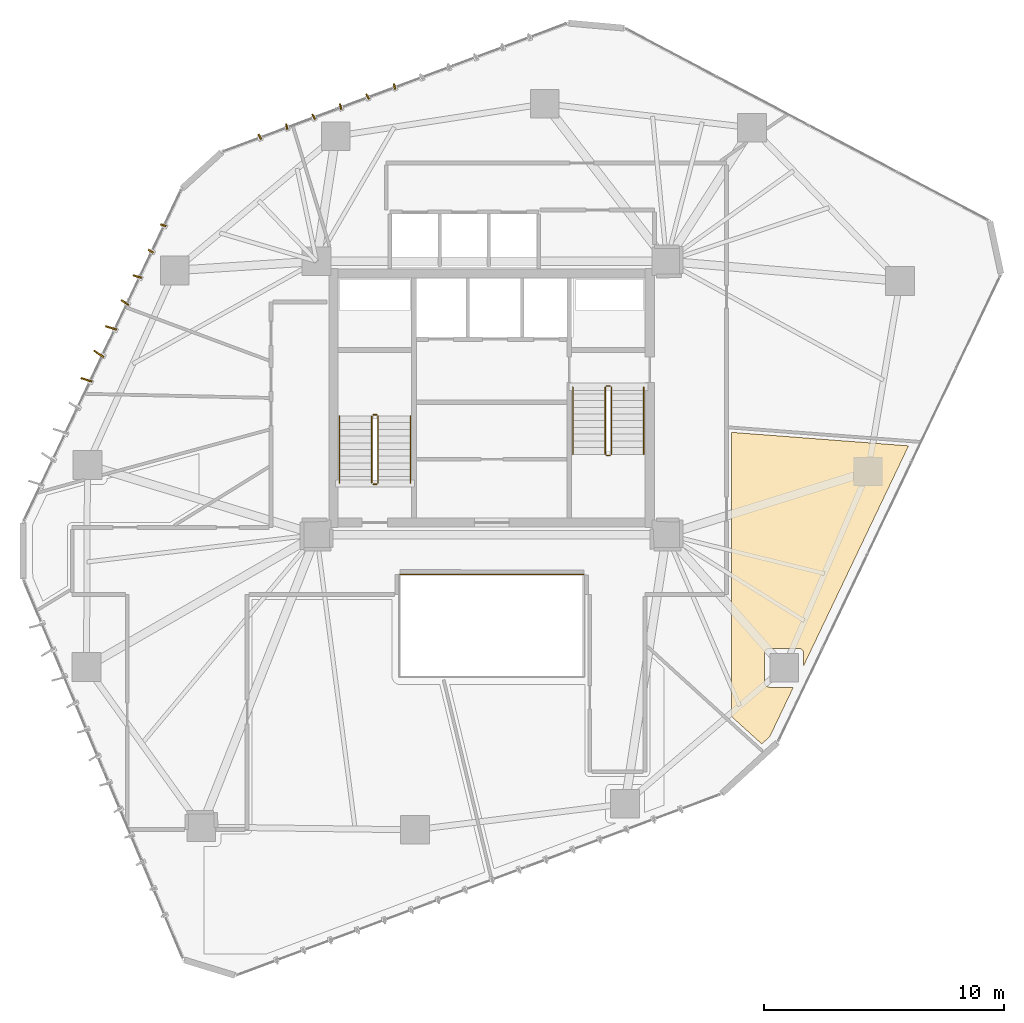
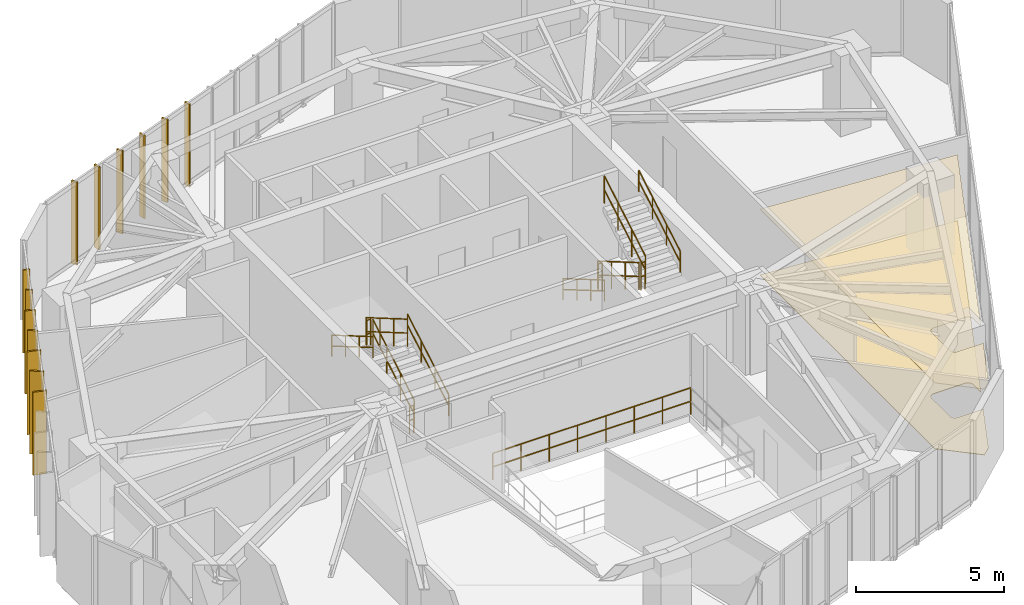
# One storey, part 21 of 22: 13 railings, 13 shading devices, 2 coverings.
"""IFC4 building model written with IfcOpenShell, lengths in metres."""

from ifc_helpers import new_model, si_unit, direction, frame, origin, origin_2d, place, context, subcontext, project, spatial, polyline, rectangle, circle, outline, extrude, source, transform, mapped, material, layer, layer_set, type_object, type_shapes, element, save


model = new_model("IFC4")

# Units and contexts
model_context = context("Model", 3, precision=1e-05, world=origin(), true_north=direction((0.0, 1.0)))
body_context = subcontext(model_context, "Body", "Model", "MODEL_VIEW")
ifc_project = project(units=[si_unit("LENGTHUNIT", "METRE"), si_unit("AREAUNIT", "SQUARE_METRE"), si_unit("VOLUMEUNIT", "CUBIC_METRE"), si_unit("PLANEANGLEUNIT", "RADIAN"), si_unit("MASSUNIT", "GRAM", prefix="KILO")], contexts=[model_context])

# Site, building, storey
site_placement = place(None, origin())
site = spatial("IfcSite", under=ifc_project, at=site_placement, CompositionType="ELEMENT")
building_placement = place(site_placement, origin())
building = spatial("IfcBuilding", under=site, at=building_placement, Name="Talar Marvaseh", CompositionType="ELEMENT")
storey_placement = place(building_placement, frame((0.0, 0.0, 150.60009765625)))
storey = spatial("IfcBuildingStorey", under=building, at=storey_placement, Name="L39", CompositionType="ELEMENT", Elevation=150.60009765625)

# Railings
ifc_material_1 = material(Name="Stainless Steel Grade 316", Category="steel")
railing_type_1 = type_object("IfcRailingType", Name="Brushed Stainless Wall Pitch Handrail 900", PredefinedType="HANDRAIL", material=ifc_material_1)
railing_1_placement = place(storey_placement, frame((22.610107421875, 27.64990234375, 0.16357421875)))
element("IfcRailing", 1, at=railing_1_placement, inside=storey, type_object=railing_type_1, Name="L39 ST-1 stair handrail 1", PredefinedType="HANDRAIL", context=body_context, shape_type="SweptSolid", body=[
    extrude(circle(Radius=0.02392578125, at=origin_2d()), frame((0.0, 0.0, 0.8759765625), z_axis=(0.0, 0.863393664356, 0.504530851732), x_axis=(-1.0, 0.0, 0.0)), (0.0, 0.0, 1.0), 3.2431640625),
    extrude(circle(Radius=0.02392578125, at=origin_2d()), frame((0.0, 0.0, 0.42578125), z_axis=(0.0, 0.863393664356, 0.504530851732), x_axis=(-1.0, 0.0, 0.0)), (0.0, 0.0, 1.0), 3.2431640625),
    extrude(circle(Radius=0.02099609375, at=origin_2d()), origin(), (0.0, 0.0, 1.0), 0.851806640625),
    extrude(circle(Radius=0.02099609375, at=origin_2d()), frame((0.0, 0.933349609375, 0.54541015625)), (0.0, 0.0, 1.0), 0.851806640625),
    extrude(circle(Radius=0.02099609375, at=origin_2d()), frame((0.0, 1.86669921875, 1.0908203125)), (0.0, 0.0, 1.0), 0.851806640625),
    extrude(circle(Radius=0.02099609375, at=origin_2d()), frame((0.0, 2.800048828125, 1.63623046875)), (0.0, 0.0, 1.0), 0.851806640625),
])
railing_2_placement = place(storey_placement, frame((19.64990234375, 30.449951171875, 1.963623046875)))
element("IfcRailing", 2, at=railing_2_placement, inside=storey, type_object=railing_type_1, Name="L39 ST-1 stair handrail 2", PredefinedType="HANDRAIL", context=body_context, shape_type="SweptSolid", body=[
    extrude(circle(Radius=0.02392578125, at=origin_2d()), frame((0.0, 0.0, 0.8759765625), z_axis=(0.0, -0.863393664356, 0.504530851732), x_axis=(1.0, 0.0, 0.0)), (0.0, 0.0, 1.0), 3.2431640625),
    extrude(circle(Radius=0.02392578125, at=origin_2d()), frame((0.0, 0.0, 0.42578125), z_axis=(0.0, -0.863393664356, 0.504530851732), x_axis=(1.0, 0.0, 0.0)), (0.0, 0.0, 1.0), 3.2431640625),
    extrude(circle(Radius=0.02099609375, at=origin_2d()), origin(), (0.0, 0.0, 1.0), 0.851806640625),
    extrude(circle(Radius=0.02099609375, at=origin_2d()), frame((0.0, -0.933349609375, 0.54541015625)), (0.0, 0.0, 1.0), 0.851806640625),
    extrude(circle(Radius=0.02099609375, at=origin_2d()), frame((0.0, -1.86669921875, 1.0908203125)), (0.0, 0.0, 1.0), 0.851806640625),
    extrude(circle(Radius=0.02099609375, at=origin_2d()), frame((0.0, -2.800048828125, 1.63623046875)), (0.0, 0.0, 1.0), 0.851806640625),
])
railing_3_placement = place(storey_placement, frame((29.389892578125, 31.64990234375, 0.16357421875)))
element("IfcRailing", 3, at=railing_3_placement, inside=storey, type_object=railing_type_1, Name="L39 ST-2 stair handrail 1", PredefinedType="HANDRAIL", context=body_context, shape_type="SweptSolid", body=[
    extrude(circle(Radius=0.02392578125, at=origin_2d()), frame((0.0, 0.0, 0.8759765625), z_axis=(0.0, -0.863374499697, 0.504563646405), x_axis=(1.0, 0.0, 0.0)), (0.0, 0.0, 1.0), 3.242919921875),
    extrude(circle(Radius=0.02392578125, at=origin_2d()), frame((0.0, 0.0, 0.42578125), z_axis=(0.0, -0.863374499697, 0.504563646405), x_axis=(1.0, 0.0, 0.0)), (0.0, 0.0, 1.0), 3.242919921875),
    extrude(circle(Radius=0.02099609375, at=origin_2d()), origin(), (0.0, 0.0, 1.0), 0.851806640625),
    extrude(circle(Radius=0.02099609375, at=origin_2d()), frame((0.0, -0.933349609375, 0.54541015625)), (0.0, 0.0, 1.0), 0.851806640625),
    extrude(circle(Radius=0.02099609375, at=origin_2d()), frame((0.0, -1.866455078125, 1.0908203125)), (0.0, 0.0, 1.0), 0.851806640625),
    extrude(circle(Radius=0.02099609375, at=origin_2d()), frame((0.0, -2.7998046875, 1.63623046875)), (0.0, 0.0, 1.0), 0.851806640625),
])
railing_4_placement = place(storey_placement, frame((32.35009765625, 28.85009765625, 1.963623046875)))
element("IfcRailing", 4, at=railing_4_placement, inside=storey, type_object=railing_type_1, Name="L39 ST-2 stair handrail 2", PredefinedType="HANDRAIL", context=body_context, shape_type="SweptSolid", body=[
    extrude(circle(Radius=0.02392578125, at=origin_2d()), frame((0.0, 0.0, 0.8759765625), z_axis=(0.0, 0.863374499697, 0.504563646405), x_axis=(-1.0, 0.0, 0.0)), (0.0, 0.0, 1.0), 3.242919921875),
    extrude(circle(Radius=0.02392578125, at=origin_2d()), frame((0.0, 0.0, 0.42578125), z_axis=(0.0, 0.863374499697, 0.504563646405), x_axis=(-1.0, 0.0, 0.0)), (0.0, 0.0, 1.0), 3.242919921875),
    extrude(circle(Radius=0.02099609375, at=origin_2d()), origin(), (0.0, 0.0, 1.0), 0.851806640625),
    extrude(circle(Radius=0.02099609375, at=origin_2d()), frame((0.0, 0.933349609375, 0.54541015625)), (0.0, 0.0, 1.0), 0.851806640625),
    extrude(circle(Radius=0.02099609375, at=origin_2d()), frame((0.0, 1.866455078125, 1.0908203125)), (0.0, 0.0, 1.0), 0.851806640625),
    extrude(circle(Radius=0.02099609375, at=origin_2d()), frame((0.0, 2.7998046875, 1.63623046875)), (0.0, 0.0, 1.0), 0.851806640625),
])
ifc_material_2 = material(Name="Tempered Clear Glass", Category="glass")
railing_type_2 = type_object("IfcRailingType", Name="Interior Atrium Edge Balustrade 1120", PredefinedType="BALUSTRADE", material=ifc_material_2)
railing_5_placement = place(storey_placement, frame((29.8701171875, 23.838623046875, 0.0)))
element("IfcRailing", 5, at=railing_5_placement, inside=storey, type_object=railing_type_2, Name="L39 Internal Daylight Atrium Balustrade 3", PredefinedType="BALUSTRADE", context=body_context, shape_type="SweptSolid", body=[
    extrude(circle(Radius=0.02392578125, at=origin_2d()), frame((0.0, 0.0, 1.09619140625), z_axis=(-1.0, 0.0, 0.0), x_axis=(0.0, -1.0, 0.0)), (0.0, 0.0, 1.0), 7.740234375),
    extrude(circle(Radius=0.02392578125, at=origin_2d()), frame((0.0, 0.0, 0.5361328125), z_axis=(-1.0, 0.0, 0.0), x_axis=(0.0, -1.0, 0.0)), (0.0, 0.0, 1.0), 7.740234375),
    extrude(circle(Radius=0.02099609375, at=origin_2d()), origin(), (0.0, 0.0, 1.0), 1.072021484375),
    extrude(circle(Radius=0.02099609375, at=origin_2d()), frame((-1.105712890625, 0.0, 0.0)), (0.0, 0.0, 1.0), 1.072021484375),
    extrude(circle(Radius=0.02099609375, at=origin_2d()), frame((-2.21142578125, 0.0, 0.0)), (0.0, 0.0, 1.0), 1.072021484375),
    extrude(circle(Radius=0.02099609375, at=origin_2d()), frame((-3.317138671875, 0.0, 0.0)), (0.0, 0.0, 1.0), 1.072021484375),
    extrude(circle(Radius=0.02099609375, at=origin_2d()), frame((-4.423095703125, 0.0, 0.0)), (0.0, 0.0, 1.0), 1.072021484375),
    extrude(circle(Radius=0.02099609375, at=origin_2d()), frame((-5.52880859375, 0.0, 0.0)), (0.0, 0.0, 1.0), 1.072021484375),
    extrude(circle(Radius=0.02099609375, at=origin_2d()), frame((-6.634521484375, 0.0, 0.0)), (0.0, 0.0, 1.0), 1.072021484375),
    extrude(circle(Radius=0.02099609375, at=origin_2d()), frame((-7.740234375, 0.0, 0.0)), (0.0, 0.0, 1.0), 1.072021484375),
])
railing_type_3 = type_object("IfcRailingType", Name="Painted Steel Core Stair Well Guardrail 1150", PredefinedType="GUARDRAIL", material=ifc_material_1)
railing_6_placement = place(storey_placement, frame((21.260009765625, 27.64990234375, 0.16357421875)))
element("IfcRailing", 6, at=railing_6_placement, inside=storey, type_object=railing_type_3, Name="L39 ST-1 stair guard 1", PredefinedType="GUARDRAIL", context=body_context, shape_type="SweptSolid", body=[
    extrude(circle(Radius=0.02392578125, at=origin_2d()), frame((0.0, 0.0, 1.1259765625), z_axis=(0.0, 0.863393664356, 0.504530851732), x_axis=(-1.0, 0.0, 0.0)), (0.0, 0.0, 1.0), 3.2431640625),
    extrude(circle(Radius=0.02392578125, at=origin_2d()), frame((0.0, 0.0, 0.55078125), z_axis=(0.0, 0.863393664356, 0.504530851732), x_axis=(-1.0, 0.0, 0.0)), (0.0, 0.0, 1.0), 3.2431640625),
    extrude(circle(Radius=0.02099609375, at=origin_2d()), origin(), (0.0, 0.0, 1.0), 1.101806640625),
    extrude(circle(Radius=0.02099609375, at=origin_2d()), frame((0.0, 0.933349609375, 0.54541015625)), (0.0, 0.0, 1.0), 1.101806640625),
    extrude(circle(Radius=0.02099609375, at=origin_2d()), frame((0.0, 1.86669921875, 1.0908203125)), (0.0, 0.0, 1.0), 1.101806640625),
    extrude(circle(Radius=0.02099609375, at=origin_2d()), frame((0.0, 2.800048828125, 1.63623046875)), (0.0, 0.0, 1.0), 1.101806640625),
])
railing_7_placement = place(storey_placement, frame((21.2099609375, 30.5, 1.7998046875)))
element("IfcRailing", 7, at=railing_7_placement, inside=storey, type_object=railing_type_3, Name="L39 ST-1 stair guard 2", PredefinedType="GUARDRAIL", context=body_context, shape_type="SweptSolid", body=[
    extrude(circle(Radius=0.02392578125, at=origin_2d()), frame((0.0, 0.0, 1.1259765625), z_axis=(-1.0, 0.0, 0.0), x_axis=(0.0, -1.0, 0.0)), (0.0, 0.0, 1.0), 0.159912109375),
    extrude(circle(Radius=0.02392578125, at=origin_2d()), frame((0.0, 0.0, 0.55078125), z_axis=(-1.0, 0.0, 0.0), x_axis=(0.0, -1.0, 0.0)), (0.0, 0.0, 1.0), 0.159912109375),
    extrude(circle(Radius=0.02099609375, at=origin_2d()), origin(), (0.0, 0.0, 1.0), 1.101806640625),
    extrude(circle(Radius=0.02099609375, at=origin_2d()), frame((-0.159912109375, 0.0, 0.0)), (0.0, 0.0, 1.0), 1.101806640625),
])
railing_8_placement = place(storey_placement, frame((21.0, 30.449951171875, 1.963623046875)))
element("IfcRailing", 8, at=railing_8_placement, inside=storey, type_object=railing_type_3, Name="L39 ST-1 stair guard 3", PredefinedType="GUARDRAIL", context=body_context, shape_type="SweptSolid", body=[
    extrude(circle(Radius=0.02392578125, at=origin_2d()), frame((0.0, 0.0, 1.1259765625), z_axis=(0.0, -0.863393664356, 0.504530851732), x_axis=(1.0, 0.0, 0.0)), (0.0, 0.0, 1.0), 3.2431640625),
    extrude(circle(Radius=0.02392578125, at=origin_2d()), frame((0.0, 0.0, 0.55078125), z_axis=(0.0, -0.863393664356, 0.504530851732), x_axis=(1.0, 0.0, 0.0)), (0.0, 0.0, 1.0), 3.2431640625),
    extrude(circle(Radius=0.02099609375, at=origin_2d()), origin(), (0.0, 0.0, 1.0), 1.101806640625),
    extrude(circle(Radius=0.02099609375, at=origin_2d()), frame((0.0, -0.933349609375, 0.54541015625)), (0.0, 0.0, 1.0), 1.101806640625),
    extrude(circle(Radius=0.02099609375, at=origin_2d()), frame((0.0, -1.86669921875, 1.0908203125)), (0.0, 0.0, 1.0), 1.101806640625),
    extrude(circle(Radius=0.02099609375, at=origin_2d()), frame((0.0, -2.800048828125, 1.63623046875)), (0.0, 0.0, 1.0), 1.101806640625),
])
railing_9_placement = place(storey_placement, frame((21.2099609375, 27.60009765625, 0.0)))
element("IfcRailing", 9, at=railing_9_placement, inside=storey, type_object=railing_type_3, Name="L39 ST-1 stair guard 4", PredefinedType="GUARDRAIL", context=body_context, shape_type="SweptSolid", body=[
    extrude(circle(Radius=0.02392578125, at=origin_2d()), frame((0.0, 0.0, 1.1259765625), z_axis=(-1.0, 0.0, 0.0), x_axis=(0.0, -1.0, 0.0)), (0.0, 0.0, 1.0), 0.159912109375),
    extrude(circle(Radius=0.02392578125, at=origin_2d()), frame((0.0, 0.0, 0.55078125), z_axis=(-1.0, 0.0, 0.0), x_axis=(0.0, -1.0, 0.0)), (0.0, 0.0, 1.0), 0.159912109375),
    extrude(circle(Radius=0.02099609375, at=origin_2d()), origin(), (0.0, 0.0, 1.0), 1.101806640625),
    extrude(circle(Radius=0.02099609375, at=origin_2d()), frame((-0.159912109375, 0.0, 0.0)), (0.0, 0.0, 1.0), 1.101806640625),
])
railing_10_placement = place(storey_placement, frame((30.739990234375, 31.64990234375, 0.16357421875)))
element("IfcRailing", 10, at=railing_10_placement, inside=storey, type_object=railing_type_3, Name="L39 ST-2 stair guard 1", PredefinedType="GUARDRAIL", context=body_context, shape_type="SweptSolid", body=[
    extrude(circle(Radius=0.02392578125, at=origin_2d()), frame((0.0, 0.0, 1.1259765625), z_axis=(0.0, -0.863374499697, 0.504563646405), x_axis=(1.0, 0.0, 0.0)), (0.0, 0.0, 1.0), 3.242919921875),
    extrude(circle(Radius=0.02392578125, at=origin_2d()), frame((0.0, 0.0, 0.55078125), z_axis=(0.0, -0.863374499697, 0.504563646405), x_axis=(1.0, 0.0, 0.0)), (0.0, 0.0, 1.0), 3.242919921875),
    extrude(circle(Radius=0.02099609375, at=origin_2d()), origin(), (0.0, 0.0, 1.0), 1.101806640625),
    extrude(circle(Radius=0.02099609375, at=origin_2d()), frame((0.0, -0.933349609375, 0.54541015625)), (0.0, 0.0, 1.0), 1.101806640625),
    extrude(circle(Radius=0.02099609375, at=origin_2d()), frame((0.0, -1.866455078125, 1.0908203125)), (0.0, 0.0, 1.0), 1.101806640625),
    extrude(circle(Radius=0.02099609375, at=origin_2d()), frame((0.0, -2.7998046875, 1.63623046875)), (0.0, 0.0, 1.0), 1.101806640625),
])
railing_11_placement = place(storey_placement, frame((30.7900390625, 28.800048828125, 1.7998046875)))
element("IfcRailing", 11, at=railing_11_placement, inside=storey, type_object=railing_type_3, Name="L39 ST-2 stair guard 2", PredefinedType="GUARDRAIL", context=body_context, shape_type="SweptSolid", body=[
    extrude(circle(Radius=0.02392578125, at=origin_2d()), frame((0.0, 0.0, 1.1259765625), z_axis=(1.0, 0.0, 0.0), x_axis=(0.0, 1.0, 0.0)), (0.0, 0.0, 1.0), 0.159912109375),
    extrude(circle(Radius=0.02392578125, at=origin_2d()), frame((0.0, 0.0, 0.55078125), z_axis=(1.0, 0.0, 0.0), x_axis=(0.0, 1.0, 0.0)), (0.0, 0.0, 1.0), 0.159912109375),
    extrude(circle(Radius=0.02099609375, at=origin_2d()), origin(), (0.0, 0.0, 1.0), 1.101806640625),
    extrude(circle(Radius=0.02099609375, at=origin_2d()), frame((0.159912109375, 0.0, 0.0)), (0.0, 0.0, 1.0), 1.101806640625),
])
railing_12_placement = place(storey_placement, frame((31.0, 28.85009765625, 1.963623046875)))
element("IfcRailing", 12, at=railing_12_placement, inside=storey, type_object=railing_type_3, Name="L39 ST-2 stair guard 3", PredefinedType="GUARDRAIL", context=body_context, shape_type="SweptSolid", body=[
    extrude(circle(Radius=0.02392578125, at=origin_2d()), frame((0.0, 0.0, 1.1259765625), z_axis=(0.0, 0.863374499697, 0.504563646405), x_axis=(-1.0, 0.0, 0.0)), (0.0, 0.0, 1.0), 3.242919921875),
    extrude(circle(Radius=0.02392578125, at=origin_2d()), frame((0.0, 0.0, 0.55078125), z_axis=(0.0, 0.863374499697, 0.504563646405), x_axis=(-1.0, 0.0, 0.0)), (0.0, 0.0, 1.0), 3.242919921875),
    extrude(circle(Radius=0.02099609375, at=origin_2d()), origin(), (0.0, 0.0, 1.0), 1.101806640625),
    extrude(circle(Radius=0.02099609375, at=origin_2d()), frame((0.0, 0.933349609375, 0.54541015625)), (0.0, 0.0, 1.0), 1.101806640625),
    extrude(circle(Radius=0.02099609375, at=origin_2d()), frame((0.0, 1.866455078125, 1.0908203125)), (0.0, 0.0, 1.0), 1.101806640625),
    extrude(circle(Radius=0.02099609375, at=origin_2d()), frame((0.0, 2.7998046875, 1.63623046875)), (0.0, 0.0, 1.0), 1.101806640625),
])
railing_13_placement = place(storey_placement, frame((30.7900390625, 31.699951171875, 0.0)))
element("IfcRailing", 13, at=railing_13_placement, inside=storey, type_object=railing_type_3, Name="L39 ST-2 stair guard 4", PredefinedType="GUARDRAIL", context=body_context, shape_type="SweptSolid", body=[
    extrude(circle(Radius=0.02392578125, at=origin_2d()), frame((0.0, 0.0, 1.1259765625), z_axis=(1.0, 0.0, 0.0), x_axis=(0.0, 1.0, 0.0)), (0.0, 0.0, 1.0), 0.159912109375),
    extrude(circle(Radius=0.02392578125, at=origin_2d()), frame((0.0, 0.0, 0.55078125), z_axis=(1.0, 0.0, 0.0), x_axis=(0.0, 1.0, 0.0)), (0.0, 0.0, 1.0), 0.159912109375),
    extrude(circle(Radius=0.02099609375, at=origin_2d()), origin(), (0.0, 0.0, 1.0), 1.101806640625),
    extrude(circle(Radius=0.02099609375, at=origin_2d()), frame((0.159912109375, 0.0, 0.0)), (0.0, 0.0, 1.0), 1.101806640625),
])

# Coverings
ifc_material_3 = material(Name="Mineral Fibre Acoustic Ceiling")
ifc_layer_1 = layer(ifc_material_3, 0.02490234375)
ifc_layer_set_1 = layer_set([ifc_layer_1], Name="Mineral Fibre Acoustic Ceiling")
covering_type_1 = type_object("IfcCoveringType", Name="Perforated Mineral Fibre Acoustic Suspended Ceiling", PredefinedType="CEILING", material=ifc_layer_set_1)
covering_1_placement = place(storey_placement, frame((0.0, 0.0, 2.719970703125)))
element("IfcCovering", 14, at=covering_1_placement, inside=storey, type_object=covering_type_1, Name="L39 Cultural Fellowship Office Acoustic Ceiling", PredefinedType="CEILING", context=body_context, shape_type="SweptSolid", body=[
    extrude(outline(polyline([(36.0, 23.0), (36.0, 29.767333984375), (43.39501953125, 29.20166015625), (39.01904296875, 20.03076171875), (39.02099609375, 20.541748046875), (39.02001953125, 20.560302734375), (39.017578125, 20.578857421875), (39.01318359375, 20.596923828125), (39.00732421875, 20.614501953125), (39.0, 20.631591796875), (38.990966796875, 20.64794921875), (38.980224609375, 20.663330078125), (38.968505859375, 20.677490234375), (38.955078125, 20.690673828125), (38.940185546875, 20.7041015625), (38.926025390625, 20.716064453125), (38.91064453125, 20.726318359375), (38.89453125, 20.7353515625), (38.877685546875, 20.74267578125), (38.860107421875, 20.74853515625), (38.842041015625, 20.752685546875), (38.82373046875, 20.755126953125), (38.805419921875, 20.756103515625), (37.5947265625, 20.751708984375), (37.5751953125, 20.75048828125), (37.555908203125, 20.74755859375), (37.536865234375, 20.742919921875), (37.518310546875, 20.736083984375), (37.500732421875, 20.727783203125), (37.48388671875, 20.717529296875), (37.46826171875, 20.705810546875), (37.45361328125, 20.69287109375), (37.440673828125, 20.67822265625), (37.428955078125, 20.66259765625), (37.4189453125, 20.645751953125), (37.41064453125, 20.6279296875), (37.404052734375, 20.609619140625), (37.399169921875, 20.590576171875), (37.396484375, 20.5712890625), (37.3955078125, 20.551513671875), (37.3955078125, 19.330322265625), (37.396484375, 19.310791015625), (37.399169921875, 19.29150390625), (37.404052734375, 19.272216796875), (37.41064453125, 19.25390625), (37.4189453125, 19.236083984375), (37.42919921875, 19.21923828125), (37.44091796875, 19.20361328125), (37.4541015625, 19.18896484375), (37.468505859375, 19.17578125), (37.484375, 19.1640625), (37.501220703125, 19.154052734375), (37.518798828125, 19.1455078125), (37.537353515625, 19.138916015625), (37.556396484375, 19.13427734375), (37.57568359375, 19.13134765625), (37.595458984375, 19.13037109375), (38.589599609375, 19.13037109375), (37.606689453125, 17.07080078125), (37.271728515625, 16.763916015625), (36.0, 17.919677734375), (36.0, 23.0)])), origin(), (0.0, 0.0, 1.0), 0.02490234375),
])
ifc_material_4 = material(Name="Porcelain Stoneware Tile", Category="masonry")
ifc_layer_2 = layer(ifc_material_4, 0.02001953125)
ifc_layer_set_2 = layer_set([ifc_layer_2], Name="Porcelain Stoneware Tile")
covering_type_2 = type_object("IfcCoveringType", Name="Polished Porcelain Stoneware Gallery Flooring", PredefinedType="FLOORING", material=ifc_layer_set_2)
covering_2_placement = place(storey_placement, origin())
element("IfcCovering", 15, at=covering_2_placement, inside=storey, type_object=covering_type_2, Name="L39 Cultural Fellowship Office Flooring", PredefinedType="FLOORING", context=body_context, shape_type="SweptSolid", body=[
    extrude(outline(polyline([(36.0, 23.0), (36.0, 29.767333984375), (43.39501953125, 29.20166015625), (39.01904296875, 20.03076171875), (39.02099609375, 20.541748046875), (39.02001953125, 20.560302734375), (39.017578125, 20.578857421875), (39.01318359375, 20.596923828125), (39.00732421875, 20.614501953125), (39.0, 20.631591796875), (38.990966796875, 20.64794921875), (38.980224609375, 20.663330078125), (38.968505859375, 20.677490234375), (38.955078125, 20.690673828125), (38.940185546875, 20.7041015625), (38.926025390625, 20.716064453125), (38.91064453125, 20.726318359375), (38.89453125, 20.7353515625), (38.877685546875, 20.74267578125), (38.860107421875, 20.74853515625), (38.842041015625, 20.752685546875), (38.82373046875, 20.755126953125), (38.805419921875, 20.756103515625), (37.5947265625, 20.751708984375), (37.5751953125, 20.75048828125), (37.555908203125, 20.74755859375), (37.536865234375, 20.742919921875), (37.518310546875, 20.736083984375), (37.500732421875, 20.727783203125), (37.48388671875, 20.717529296875), (37.46826171875, 20.705810546875), (37.45361328125, 20.69287109375), (37.440673828125, 20.67822265625), (37.428955078125, 20.66259765625), (37.4189453125, 20.645751953125), (37.41064453125, 20.6279296875), (37.404052734375, 20.609619140625), (37.399169921875, 20.590576171875), (37.396484375, 20.5712890625), (37.3955078125, 20.551513671875), (37.3955078125, 19.330322265625), (37.396484375, 19.310791015625), (37.399169921875, 19.29150390625), (37.404052734375, 19.272216796875), (37.41064453125, 19.25390625), (37.4189453125, 19.236083984375), (37.42919921875, 19.21923828125), (37.44091796875, 19.20361328125), (37.4541015625, 19.18896484375), (37.468505859375, 19.17578125), (37.484375, 19.1640625), (37.501220703125, 19.154052734375), (37.518798828125, 19.1455078125), (37.537353515625, 19.138916015625), (37.556396484375, 19.13427734375), (37.57568359375, 19.13134765625), (37.595458984375, 19.13037109375), (38.589599609375, 19.13037109375), (37.606689453125, 17.07080078125), (37.271728515625, 16.763916015625), (36.0, 17.919677734375), (36.0, 23.0)])), origin(), (0.0, 0.0, 1.0), 0.02001953125),
])

# Shading devices
ifc_material_5 = material(Name="Anodised Champagne Bronze Aluminium", Category="aluminium")
ifc_layer_3 = layer(ifc_material_5, 0.06494140625)
ifc_layer_set_3 = layer_set([ifc_layer_3], Name="Anodised Champagne Bronze Aluminium")
shading_device_type_1 = type_object("IfcShadingDeviceType", Name="Sawtooth Champagne Bronze Vertical Fin 240", PredefinedType="USERDEFINED", material=ifc_layer_set_3)
shared_shape_1 = source(origin(), body_context, "Body", "SweptSolid", [
    extrude(rectangle(XDim=0.239990234375, YDim=0.06494140625, at=origin_2d()), origin(), (0.0, 0.0, 1.0), 3.429931640625),
])
type_shapes(shading_device_type_1, [shared_shape_1])
for number, where, z_axis, x_axis, name in (
    (16, (11.78369140625, 37.3232421875, -0.1201171875), (0.0, 0.0, 1.0), (-0.834559517796, 0.550917789925, 0.0), "L39 Sawtooth Vertical Solar Fin"),
    (17, (12.299072265625, 38.406982421875, -0.1201171875), (0.0, 0.0, 1.0), (-0.954083620326, 0.299540390309, 0.0), "L39 Sawtooth Vertical Solar Fin"),
    (18, (16.32861328125, 42.099609375, -0.1201171875), (0.0, 0.0, 1.0), (-0.476084726767, 0.879399416044, 0.0), "L39 Sawtooth Vertical Solar Fin"),
    (19, (17.453125, 42.518310546875, -0.1201171875), (0.0, 0.0, 1.0), (-0.215246682117, 0.976559709305, 0.0), "L39 Sawtooth Vertical Solar Fin"),
    (20, (18.57763671875, 42.937255859375, -0.1201171875), (0.0, 0.0, 1.0), (-0.476084726767, 0.879399416044, 0.0), "L39 Sawtooth Vertical Solar Fin"),
    (21, (19.7021484375, 43.356201171875, -0.1201171875), (0.0, 0.0, 1.0), (-0.215246682117, 0.976559709305, 0.0), "L39 Sawtooth Vertical Solar Fin"),
    (22, (20.82666015625, 43.775146484375, -0.1201171875), (0.0, 0.0, 1.0), (-0.476084726767, 0.879399416044, 0.0), "L39 Sawtooth Vertical Solar Fin"),
    (23, (21.951171875, 44.194091796875, -0.1201171875), (0.0, 0.0, 1.0), (-0.215246682117, 0.976559709305, 0.0), "L39 Sawtooth Vertical Solar Fin"),
):
    element("IfcShadingDevice", number, at=place(storey_placement, frame(where, z_axis=z_axis, x_axis=x_axis)), inside=storey, type_object=shading_device_type_1, Name=name, ObjectType="FIN", PredefinedType="USERDEFINED", context=body_context, shape_type="MappedRepresentation", body=[
        mapped(shared_shape_1, transform((0.0, 0.0, 0.0), x_axis=(1.0, 0.0, 0.0), y_axis=(0.0, 1.0, 0.0), z_axis=(0.0, 0.0, 1.0), scale=1.0)),
    ])
ifc_layer_4 = layer(ifc_material_5, 0.06494140625)
ifc_layer_set_4 = layer_set([ifc_layer_4], Name="Anodised Champagne Bronze Aluminium")
shading_device_type_2 = type_object("IfcShadingDeviceType", Name="Sawtooth Champagne Bronze Vertical Fin 360", PredefinedType="USERDEFINED", material=ifc_layer_set_4)
shared_shape_2 = source(origin(), body_context, "Body", "SweptSolid", [
    extrude(rectangle(XDim=0.360107421875, YDim=0.06494140625, at=origin_2d()), origin(), (0.0, 0.0, 1.0), 3.429931640625),
])
type_shapes(shading_device_type_2, [shared_shape_2])
for number, where, z_axis, x_axis, name in (
    (24, (10.69873046875, 35.181396484375, -0.1201171875), (0.0, 0.0, 1.0), (-0.834559517796, 0.550917789925, 0.0), "L39 Sawtooth Vertical Solar Fin"),
    (25, (11.214111328125, 36.265380859375, -0.1201171875), (0.0, 0.0, 1.0), (-0.954083620326, 0.299540390309, 0.0), "L39 Sawtooth Vertical Solar Fin"),
):
    element("IfcShadingDevice", number, at=place(storey_placement, frame(where, z_axis=z_axis, x_axis=x_axis)), inside=storey, type_object=shading_device_type_2, Name=name, ObjectType="FIN", PredefinedType="USERDEFINED", context=body_context, shape_type="MappedRepresentation", body=[
        mapped(shared_shape_2, transform((0.0, 0.0, 0.0), x_axis=(1.0, 0.0, 0.0), y_axis=(0.0, 1.0, 0.0), z_axis=(0.0, 0.0, 1.0), scale=1.0)),
    ])
ifc_layer_5 = layer(ifc_material_5, 0.06494140625)
ifc_layer_set_5 = layer_set([ifc_layer_5], Name="Anodised Champagne Bronze Aluminium")
shading_device_type_3 = type_object("IfcShadingDeviceType", Name="Sawtooth Champagne Bronze Vertical Fin 480", PredefinedType="USERDEFINED", material=ifc_layer_set_5)
shared_shape_3 = source(origin(), body_context, "Body", "SweptSolid", [
    extrude(rectangle(XDim=0.47998046875, YDim=0.06494140625, at=origin_2d()), origin(), (0.0, 0.0, 1.0), 3.429931640625),
])
type_shapes(shading_device_type_3, [shared_shape_3])
for number, where, z_axis, x_axis, name in (
    (26, (9.0986328125, 31.956298828125, -0.1201171875), (0.0, 0.0, 1.0), (-0.954083620326, 0.299540390309, 0.0), "L39 Sawtooth Vertical Solar Fin"),
    (27, (9.614013671875, 33.039794921875, -0.1201171875), (0.0, 0.0, 1.0), (-0.834559517796, 0.550917789925, 0.0), "L39 Sawtooth Vertical Solar Fin"),
    (28, (10.12939453125, 34.12353515625, -0.1201171875), (0.0, 0.0, 1.0), (-0.954083620326, 0.299540390309, 0.0), "L39 Sawtooth Vertical Solar Fin"),
):
    element("IfcShadingDevice", number, at=place(storey_placement, frame(where, z_axis=z_axis, x_axis=x_axis)), inside=storey, type_object=shading_device_type_3, Name=name, ObjectType="FIN", PredefinedType="USERDEFINED", context=body_context, shape_type="MappedRepresentation", body=[
        mapped(shared_shape_3, transform((0.0, 0.0, 0.0), x_axis=(1.0, 0.0, 0.0), y_axis=(0.0, 1.0, 0.0), z_axis=(0.0, 0.0, 1.0), scale=1.0)),
    ])

save(model, "model.ifc")
